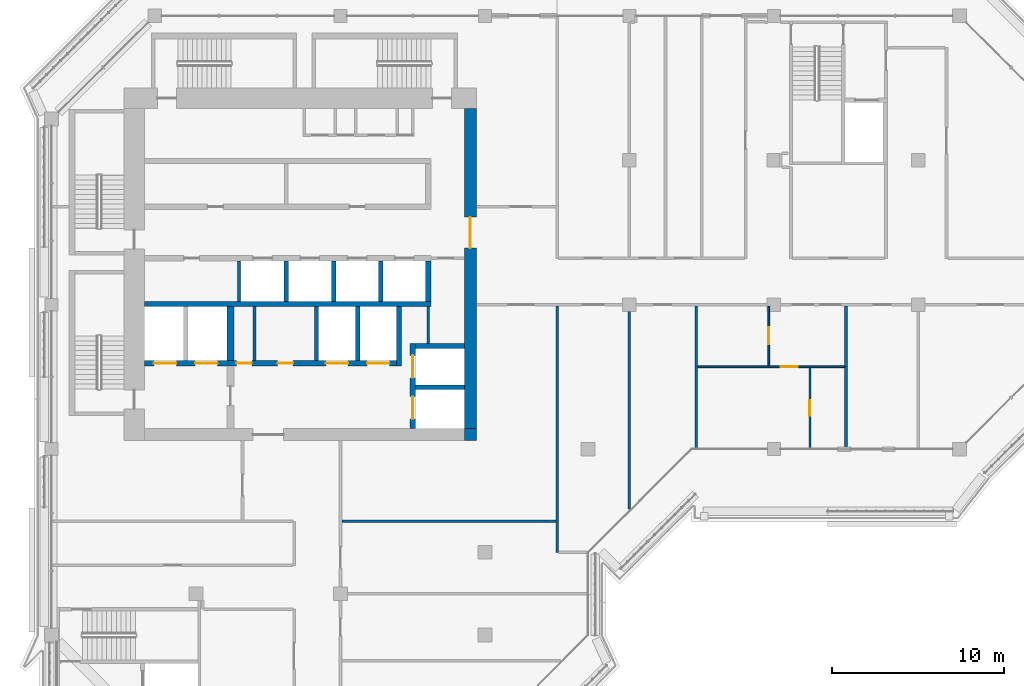
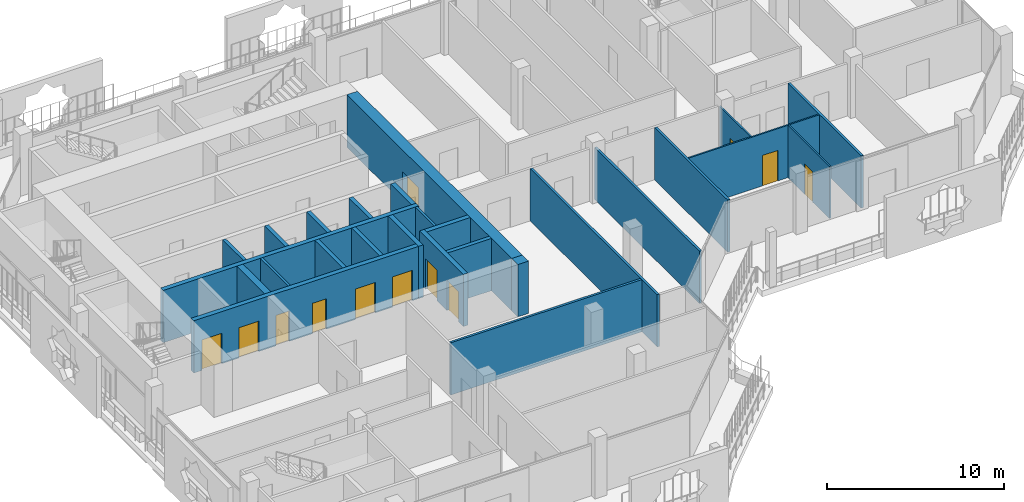
# One storey, part 11 of 21: 26 walls, 12 doors, 12 openings.
"""IFC4 building model written with IfcOpenShell, lengths in metres."""

from ifc_helpers import new_model, si_unit, direction, frame, frame_2d, origin, place, context, subcontext, project, spatial, rectangle, extrude, material, layer, layer_set, type_object, element, fill, save


model = new_model("IFC4")

# Units and contexts
model_context = context("Model", 3, precision=1e-05, world=origin(), true_north=direction((0.0, 1.0)))
body_context = subcontext(model_context, "Body", "Model", "MODEL_VIEW")
ifc_project = project(units=[si_unit("LENGTHUNIT", "METRE"), si_unit("AREAUNIT", "SQUARE_METRE"), si_unit("VOLUMEUNIT", "CUBIC_METRE"), si_unit("PLANEANGLEUNIT", "RADIAN"), si_unit("MASSUNIT", "GRAM", prefix="KILO")], contexts=[model_context])

# Site, building, storey
site_placement = place(None, origin())
site = spatial("IfcSite", under=ifc_project, at=site_placement, CompositionType="ELEMENT")
building_placement = place(site_placement, origin())
building = spatial("IfcBuilding", under=site, at=building_placement, Name="Kawkab Arch Medical Tower", CompositionType="ELEMENT")
storey_placement = place(building_placement, frame((0.0, 0.0, 319.60009765625)))
storey = spatial("IfcBuildingStorey", under=building, at=storey_placement, Name="L74", CompositionType="ELEMENT", Elevation=319.60009765625)

# Wall, opening, door
ifc_material_1 = material(Name="Concrete C50/60", Category="concrete")
ifc_layer_1 = layer(ifc_material_1, 0.699951171875)
ifc_layer_set_1 = layer_set([ifc_layer_1], Name="Concrete C50/60")
wall_type_1 = type_object("IfcWallType", Name="Core ring wall 700 C50/60", PredefinedType="SHEAR", material=ifc_layer_set_1)
wall_1_placement = place(storey_placement, frame((24.35009765625, -24.0, 0.0), z_axis=(0.0, 0.0, 1.0), x_axis=(0.0, 1.0, 0.0)))
wall_1 = element("IfcWall", 1, at=wall_1_placement, inside=storey, type_object=wall_type_1, Name="L74 core wall", PredefinedType="SHEAR", context=body_context, shape_type="SweptSolid", body=[
    extrude(rectangle(XDim=18.60009765625, YDim=0.699951171875, at=frame_2d((9.300048828125, 0.0))), origin(), (0.0, 0.0, 1.0), 3.599853515625),
])
opening_1_placement = place(wall_1_placement, frame((10.5, 0.0, 0.0)))
opening_1 = element("IfcOpeningElement", 2, at=opening_1_placement, cuts=wall_1, Name="Opening PD", PredefinedType="OPENING", context=body_context, shape_type="SweptSolid", body=[
    extrude(rectangle(XDim=1.800048828125, YDim=2.10009765625, at=frame_2d((0.89990234375, 1.050048828125))), frame((0.0, 0.35986328125, 0.0), z_axis=(0.0, -1.0, 0.0), x_axis=(1.0, 0.0, 0.0)), (0.0, 0.0, 1.0), 0.719970703125),
])
ifc_material_2 = material(Name="Hollow metal fire door leaf")
door_type_1 = type_object("IfcDoorType", Name="Core entrance doors 1800", OperationType="DOUBLE_DOOR_SINGLE_SWING", PredefinedType="DOOR", material=ifc_material_2)
door_1_placement = place(opening_1_placement, origin())
door_1 = element("IfcDoor", 3, at=door_1_placement, inside=storey, type_object=door_type_1, Name="L74 East entrance doors", OperationType="DOUBLE_DOOR_SINGLE_SWING", OverallHeight=2.10009765625, OverallWidth=1.800048828125, PredefinedType="DOOR", context=body_context, shape_type="SweptSolid", body=[
    extrude(rectangle(XDim=1.800048828125, YDim=2.10009765625, at=frame_2d((0.89990234375, 1.050048828125))), frame((0.0, 0.02490234375, 0.0), z_axis=(0.0, -1.0, 0.0), x_axis=(1.0, 0.0, 0.0)), (0.0, 0.0, 1.0), 0.050048828125),
])
fill(opening_1, door_1)

# Walls
wall_2_placement = place(storey_placement, frame((24.35009765625, -24.699951171875, 0.0), z_axis=(0.0, 0.0, 1.0), x_axis=(0.0, 1.0, 0.0)))
element("IfcWall", 4, at=wall_2_placement, inside=storey, type_object=wall_type_1, Name="L74 core wall", PredefinedType="SHEAR", context=body_context, shape_type="SweptSolid", body=[
    extrude(rectangle(XDim=0.699951171875, YDim=0.699951171875, at=frame_2d((0.35009765625, 0.0))), origin(), (0.0, 0.0, 1.0), 3.599853515625),
])
ifc_material_3 = material(Name="Gypsum board on steel studs", Category="steel")
ifc_layer_2 = layer(ifc_material_3, 0.14990234375)
ifc_layer_set_2 = layer_set([ifc_layer_2], Name="Gypsum board on steel studs")
wall_type_2 = type_object("IfcWallType", Name="Core room partition 150", PredefinedType="PARTITIONING", material=ifc_layer_set_2)
wall_3_placement = place(storey_placement, frame((21.89990234375, -19.050048828125, 0.0), z_axis=(0.0, 0.0, 1.0), x_axis=(0.0, 1.0, 0.0)))
element("IfcWall", 5, at=wall_3_placement, inside=storey, type_object=wall_type_2, Name="L74 core room partition", PredefinedType="PARTITIONING", context=body_context, shape_type="SweptSolid", body=[
    extrude(rectangle(XDim=2.150146484375, YDim=0.14990234375, at=frame_2d((1.0751953125, 0.0))), origin(), (0.0, 0.0, 1.0), 3.599853515625),
])
wall_4_placement = place(storey_placement, frame((11.800048828125, -20.050048828125, 0.0), z_axis=(0.0, 0.0, 1.0), x_axis=(0.0, 1.0, 0.0)))
element("IfcWall", 6, at=wall_4_placement, inside=storey, type_object=wall_type_2, Name="L74 core room partition", PredefinedType="PARTITIONING", context=body_context, shape_type="SweptSolid", body=[
    extrude(rectangle(XDim=3.150146484375, YDim=0.14990234375, at=frame_2d((1.5751953125, 0.0))), origin(), (0.0, 0.0, 1.0), 3.599853515625),
])
ifc_material_4 = material(Name="Concrete C60/75", Category="concrete")
ifc_layer_3 = layer(ifc_material_4, 0.25)
ifc_layer_set_3 = layer_set([ifc_layer_3], Name="Concrete C60/75")
wall_type_3 = type_object("IfcWallType", Name="Core shear wall 250 C60/75", PredefinedType="SHEAR", material=ifc_layer_set_3)
wall_5_placement = place(storey_placement, frame((21.14990234375, -21.60009765625, 0.0), z_axis=(0.0, 0.0, 1.0), x_axis=(1.0, 0.0, 0.0)))
element("IfcWall", 7, at=wall_5_placement, inside=storey, type_object=wall_type_3, Name="L74 core shear wall", PredefinedType="SHEAR", context=body_context, shape_type="SweptSolid", body=[
    extrude(rectangle(XDim=2.85009765625, YDim=0.25, at=frame_2d((1.425048828125, 0.0))), origin(), (0.0, 0.0, 1.0), 3.599853515625),
])
for number, where, z_axis, x_axis, name in (
    (8, (15.39990234375, -20.050048828125, 0.0), (0.0, 0.0, 1.0), (0.0, 1.0, 0.0), "L74 core shear wall"),
    (9, (17.800048828125, -20.050048828125, 0.0), (0.0, 0.0, 1.0), (0.0, 1.0, 0.0), "L74 core shear wall"),
):
    element("IfcWall", number, at=place(storey_placement, frame(where, z_axis=z_axis, x_axis=x_axis)), inside=storey, type_object=wall_type_3, Name=name, PredefinedType="SHEAR", context=body_context, shape_type="SweptSolid", body=[
        extrude(rectangle(XDim=3.150146484375, YDim=0.25, at=frame_2d((1.5751953125, 0.0))), origin(), (0.0, 0.0, 1.0), 3.599853515625),
    ])
for number, where, z_axis, x_axis, name in (
    (10, (13.64990234375, -16.60009765625, 0.0), (0.0, 0.0, 1.0), (0.0, 1.0, 0.0), "L74 core shear wall"),
    (11, (16.39990234375, -16.60009765625, 0.0), (0.0, 0.0, 1.0), (0.0, 1.0, 0.0), "L74 core shear wall"),
    (12, (19.14990234375, -16.60009765625, 0.0), (0.0, 0.0, 1.0), (0.0, 1.0, 0.0), "L74 core shear wall"),
):
    element("IfcWall", number, at=place(storey_placement, frame(where, z_axis=z_axis, x_axis=x_axis)), inside=storey, type_object=wall_type_3, Name=name, PredefinedType="SHEAR", context=body_context, shape_type="SweptSolid", body=[
        extrude(rectangle(XDim=2.35009765625, YDim=0.25, at=frame_2d((1.175048828125, 0.0))), origin(), (0.0, 0.0, 1.0), 3.599853515625),
    ])
ifc_material_5 = material(Name="Concrete C60/75", Category="concrete")
ifc_layer_4 = layer(ifc_material_5, 0.300048828125)
ifc_layer_set_4 = layer_set([ifc_layer_4], Name="Concrete C60/75")
wall_type_4 = type_object("IfcWallType", Name="Core shear wall 300 C60/75", PredefinedType="SHEAR", material=ifc_layer_set_4)
wall_6_placement = place(storey_placement, frame((5.39990234375, -16.75, 0.0), z_axis=(0.0, 0.0, 1.0), x_axis=(1.0, 0.0, 0.0)))
element("IfcWall", 13, at=wall_6_placement, inside=storey, type_object=wall_type_4, Name="L74 core shear wall", PredefinedType="SHEAR", context=body_context, shape_type="SweptSolid", body=[
    extrude(rectangle(XDim=16.650146484375, YDim=0.300048828125, at=frame_2d((8.3251953125, 0.0))), origin(), (0.0, 0.0, 1.0), 3.599853515625),
])

# Wall, openings, doors
wall_7_placement = place(storey_placement, frame((5.39990234375, -20.199951171875, 0.0), z_axis=(0.0, 0.0, 1.0), x_axis=(1.0, 0.0, 0.0)))
wall_7 = element("IfcWall", 14, at=wall_7_placement, inside=storey, type_object=wall_type_4, Name="L74 core shear wall", PredefinedType="SHEAR", context=body_context, shape_type="SweptSolid", body=[
    extrude(rectangle(XDim=14.650146484375, YDim=0.300048828125, at=frame_2d((7.3251953125, 0.0))), origin(), (0.0, 0.0, 1.0), 3.599853515625),
])
opening_2_placement = place(wall_7_placement, frame((10.550048828125, 0.0, 0.0)))
opening_2 = element("IfcOpeningElement", 15, at=opening_2_placement, cuts=wall_7, Name="Opening LD2", PredefinedType="OPENING", context=body_context, shape_type="SweptSolid", body=[
    extrude(rectangle(XDim=1.300048828125, YDim=2.10009765625, at=frame_2d((0.64990234375, 1.050048828125))), frame((0.0, 0.159912109375, 0.0), z_axis=(0.0, -1.0, 0.0), x_axis=(1.0, 0.0, 0.0)), (0.0, 0.0, 1.0), 0.320068359375),
])
opening_3_placement = place(wall_7_placement, frame((12.949951171875, 0.0, 0.0)))
opening_3 = element("IfcOpeningElement", 16, at=opening_3_placement, cuts=wall_7, Name="Opening LD2", PredefinedType="OPENING", context=body_context, shape_type="SweptSolid", body=[
    extrude(rectangle(XDim=1.300048828125, YDim=2.10009765625, at=frame_2d((0.64990234375, 1.050048828125))), frame((0.0, 0.159912109375, 0.0), z_axis=(0.0, -1.0, 0.0), x_axis=(1.0, 0.0, 0.0)), (0.0, 0.0, 1.0), 0.320068359375),
])
opening_4_placement = place(wall_7_placement, frame((0.550048828125, 0.0, 0.0)))
opening_4 = element("IfcOpeningElement", 17, at=opening_4_placement, cuts=wall_7, Name="Opening LD2", PredefinedType="OPENING", context=body_context, shape_type="SweptSolid", body=[
    extrude(rectangle(XDim=1.300048828125, YDim=2.10009765625, at=frame_2d((0.64990234375, 1.050048828125))), frame((0.0, 0.159912109375, 0.0), z_axis=(0.0, -1.0, 0.0), x_axis=(1.0, 0.0, 0.0)), (0.0, 0.0, 1.0), 0.320068359375),
])
opening_5_placement = place(wall_7_placement, frame((2.949951171875, 0.0, 0.0)))
opening_5 = element("IfcOpeningElement", 18, at=opening_5_placement, cuts=wall_7, Name="Opening LD2", PredefinedType="OPENING", context=body_context, shape_type="SweptSolid", body=[
    extrude(rectangle(XDim=1.300048828125, YDim=2.10009765625, at=frame_2d((0.64990234375, 1.050048828125))), frame((0.0, 0.159912109375, 0.0), z_axis=(0.0, -1.0, 0.0), x_axis=(1.0, 0.0, 0.0)), (0.0, 0.0, 1.0), 0.320068359375),
])
opening_6_placement = place(wall_7_placement, frame((5.35009765625, 0.0, 0.0)))
opening_6 = element("IfcOpeningElement", 19, at=opening_6_placement, cuts=wall_7, Name="Opening RD", PredefinedType="OPENING", context=body_context, shape_type="SweptSolid", body=[
    extrude(rectangle(XDim=0.89990234375, YDim=2.10009765625, at=frame_2d((0.449951171875, 1.050048828125))), frame((0.0, 0.159912109375, 0.0), z_axis=(0.0, -1.0, 0.0), x_axis=(1.0, 0.0, 0.0)), (0.0, 0.0, 1.0), 0.320068359375),
])
opening_7_placement = place(wall_7_placement, frame((7.75, 0.0, 0.0)))
opening_7 = element("IfcOpeningElement", 20, at=opening_7_placement, cuts=wall_7, Name="Opening RD", PredefinedType="OPENING", context=body_context, shape_type="SweptSolid", body=[
    extrude(rectangle(XDim=0.89990234375, YDim=2.10009765625, at=frame_2d((0.449951171875, 1.050048828125))), frame((0.0, 0.159912109375, 0.0), z_axis=(0.0, -1.0, 0.0), x_axis=(1.0, 0.0, 0.0)), (0.0, 0.0, 1.0), 0.320068359375),
])
ifc_material_6 = material(Name="Hollow metal fire door leaf")
door_type_2 = type_object("IfcDoorType", Name="Core room door 900", OperationType="SINGLE_SWING_LEFT", PredefinedType="DOOR", material=ifc_material_6)
door_2_placement = place(opening_6_placement, origin())
door_2 = element("IfcDoor", 21, at=door_2_placement, inside=storey, type_object=door_type_2, Name="L74 Equipment store door", OperationType="SINGLE_SWING_LEFT", OverallHeight=2.10009765625, OverallWidth=0.89990234375, PredefinedType="DOOR", context=body_context, shape_type="SweptSolid", body=[
    extrude(rectangle(XDim=0.89990234375, YDim=2.10009765625, at=frame_2d((0.449951171875, 1.050048828125))), frame((0.0, 0.02490234375, 0.0), z_axis=(0.0, -1.0, 0.0), x_axis=(1.0, 0.0, 0.0)), (0.0, 0.0, 1.0), 0.050048828125),
])
fill(opening_6, door_2)
door_3_placement = place(opening_7_placement, origin())
door_3 = element("IfcDoor", 22, at=door_3_placement, inside=storey, type_object=door_type_2, Name="L74 Medication store door", OperationType="SINGLE_SWING_LEFT", OverallHeight=2.10009765625, OverallWidth=0.89990234375, PredefinedType="DOOR", context=body_context, shape_type="SweptSolid", body=[
    extrude(rectangle(XDim=0.89990234375, YDim=2.10009765625, at=frame_2d((0.449951171875, 1.050048828125))), frame((0.0, 0.02490234375, 0.0), z_axis=(0.0, -1.0, 0.0), x_axis=(1.0, 0.0, 0.0)), (0.0, 0.0, 1.0), 0.050048828125),
])
fill(opening_7, door_3)
ifc_material_7 = material(Name="Stainless steel lift door leaf", Category="steel")
door_type_3 = type_object("IfcDoorType", Name="Lift landing door 1300", OperationType="DOUBLE_DOOR_SLIDING", PredefinedType="DOOR", material=ifc_material_7)
door_4_placement = place(opening_2_placement, origin())
door_4 = element("IfcDoor", 23, at=door_4_placement, inside=storey, type_object=door_type_3, Name="L74 Lift landing door BD3", OperationType="DOUBLE_DOOR_SLIDING", OverallHeight=2.10009765625, OverallWidth=1.300048828125, PredefinedType="DOOR", context=body_context, shape_type="SweptSolid", body=[
    extrude(rectangle(XDim=1.300048828125, YDim=2.10009765625, at=frame_2d((0.64990234375, 1.050048828125))), frame((0.0, 0.02490234375, 0.0), z_axis=(0.0, -1.0, 0.0), x_axis=(1.0, 0.0, 0.0)), (0.0, 0.0, 1.0), 0.050048828125),
])
fill(opening_2, door_4)
door_5_placement = place(opening_3_placement, origin())
door_5 = element("IfcDoor", 24, at=door_5_placement, inside=storey, type_object=door_type_3, Name="L74 Lift landing door BD4", OperationType="DOUBLE_DOOR_SLIDING", OverallHeight=2.10009765625, OverallWidth=1.300048828125, PredefinedType="DOOR", context=body_context, shape_type="SweptSolid", body=[
    extrude(rectangle(XDim=1.300048828125, YDim=2.10009765625, at=frame_2d((0.64990234375, 1.050048828125))), frame((0.0, 0.02490234375, 0.0), z_axis=(0.0, -1.0, 0.0), x_axis=(1.0, 0.0, 0.0)), (0.0, 0.0, 1.0), 0.050048828125),
])
fill(opening_3, door_5)
door_6_placement = place(opening_4_placement, origin())
door_6 = element("IfcDoor", 25, at=door_6_placement, inside=storey, type_object=door_type_3, Name="L74 Lift landing door FL1", OperationType="DOUBLE_DOOR_SLIDING", OverallHeight=2.10009765625, OverallWidth=1.300048828125, PredefinedType="DOOR", context=body_context, shape_type="SweptSolid", body=[
    extrude(rectangle(XDim=1.300048828125, YDim=2.10009765625, at=frame_2d((0.64990234375, 1.050048828125))), frame((0.0, 0.02490234375, 0.0), z_axis=(0.0, -1.0, 0.0), x_axis=(1.0, 0.0, 0.0)), (0.0, 0.0, 1.0), 0.050048828125),
])
fill(opening_4, door_6)
door_7_placement = place(opening_5_placement, origin())
door_7 = element("IfcDoor", 26, at=door_7_placement, inside=storey, type_object=door_type_3, Name="L74 Lift landing door FL2", OperationType="DOUBLE_DOOR_SLIDING", OverallHeight=2.10009765625, OverallWidth=1.300048828125, PredefinedType="DOOR", context=body_context, shape_type="SweptSolid", body=[
    extrude(rectangle(XDim=1.300048828125, YDim=2.10009765625, at=frame_2d((0.64990234375, 1.050048828125))), frame((0.0, 0.02490234375, 0.0), z_axis=(0.0, -1.0, 0.0), x_axis=(1.0, 0.0, 0.0)), (0.0, 0.0, 1.0), 0.050048828125),
])
fill(opening_5, door_7)

# Walls
wall_8_placement = place(storey_placement, frame((20.199951171875, -20.35009765625, 0.0), z_axis=(0.0, 0.0, 1.0), x_axis=(0.0, 1.0, 0.0)))
element("IfcWall", 27, at=wall_8_placement, inside=storey, type_object=wall_type_4, Name="L74 core shear wall", PredefinedType="SHEAR", context=body_context, shape_type="SweptSolid", body=[
    extrude(rectangle(XDim=3.4501953125, YDim=0.300048828125, at=frame_2d((1.72509765625, 0.0))), origin(), (0.0, 0.0, 1.0), 3.599853515625),
])
wall_9_placement = place(storey_placement, frame((21.89990234375, -16.60009765625, 0.0), z_axis=(0.0, 0.0, 1.0), x_axis=(0.0, 1.0, 0.0)))
element("IfcWall", 28, at=wall_9_placement, inside=storey, type_object=wall_type_4, Name="L74 core shear wall", PredefinedType="SHEAR", context=body_context, shape_type="SweptSolid", body=[
    extrude(rectangle(XDim=2.35009765625, YDim=0.300048828125, at=frame_2d((1.175048828125, 0.0))), origin(), (0.0, 0.0, 1.0), 3.599853515625),
])
wall_10_placement = place(storey_placement, frame((21.14990234375, -19.199951171875, 0.0), z_axis=(0.0, 0.0, 1.0), x_axis=(1.0, 0.0, 0.0)))
element("IfcWall", 29, at=wall_10_placement, inside=storey, type_object=wall_type_4, Name="L74 core shear wall", PredefinedType="SHEAR", context=body_context, shape_type="SweptSolid", body=[
    extrude(rectangle(XDim=2.85009765625, YDim=0.300048828125, at=frame_2d((1.425048828125, 0.0))), origin(), (0.0, 0.0, 1.0), 3.599853515625),
])

# Wall, openings, doors
wall_11_placement = place(storey_placement, frame((21.0, -24.0, 0.0), z_axis=(0.0, 0.0, 1.0), x_axis=(0.0, 1.0, 0.0)))
wall_11 = element("IfcWall", 30, at=wall_11_placement, inside=storey, type_object=wall_type_4, Name="L74 core shear wall", PredefinedType="SHEAR", context=body_context, shape_type="SweptSolid", body=[
    extrude(rectangle(XDim=4.949951171875, YDim=0.300048828125, at=frame_2d((2.47509765625, 0.0))), origin(), (0.0, 0.0, 1.0), 3.599853515625),
])
opening_8_placement = place(wall_11_placement, frame((2.949951171875, 0.0, 0.0)))
opening_8 = element("IfcOpeningElement", 31, at=opening_8_placement, cuts=wall_11, Name="Opening LD2", PredefinedType="OPENING", context=body_context, shape_type="SweptSolid", body=[
    extrude(rectangle(XDim=1.300048828125, YDim=2.10009765625, at=frame_2d((0.64990234375, 1.050048828125))), frame((0.0, 0.159912109375, 0.0), z_axis=(0.0, -1.0, 0.0), x_axis=(1.0, 0.0, 0.0)), (0.0, 0.0, 1.0), 0.320068359375),
])
opening_9_placement = place(wall_11_placement, frame((0.550048828125, 0.0, 0.0)))
opening_9 = element("IfcOpeningElement", 32, at=opening_9_placement, cuts=wall_11, Name="Opening LD2", PredefinedType="OPENING", context=body_context, shape_type="SweptSolid", body=[
    extrude(rectangle(XDim=1.300048828125, YDim=2.10009765625, at=frame_2d((0.64990234375, 1.050048828125))), frame((0.0, 0.159912109375, 0.0), z_axis=(0.0, -1.0, 0.0), x_axis=(1.0, 0.0, 0.0)), (0.0, 0.0, 1.0), 0.320068359375),
])
door_8_placement = place(opening_8_placement, origin())
door_8 = element("IfcDoor", 33, at=door_8_placement, inside=storey, type_object=door_type_3, Name="L74 Lift landing door BD1", OperationType="DOUBLE_DOOR_SLIDING", OverallHeight=2.10009765625, OverallWidth=1.300048828125, PredefinedType="DOOR", context=body_context, shape_type="SweptSolid", body=[
    extrude(rectangle(XDim=1.300048828125, YDim=2.10009765625, at=frame_2d((0.64990234375, 1.050048828125))), frame((0.0, 0.02490234375, 0.0), z_axis=(0.0, -1.0, 0.0), x_axis=(1.0, 0.0, 0.0)), (0.0, 0.0, 1.0), 0.050048828125),
])
fill(opening_8, door_8)
door_9_placement = place(opening_9_placement, origin())
door_9 = element("IfcDoor", 34, at=door_9_placement, inside=storey, type_object=door_type_3, Name="L74 Lift landing door BD2", OperationType="DOUBLE_DOOR_SLIDING", OverallHeight=2.10009765625, OverallWidth=1.300048828125, PredefinedType="DOOR", context=body_context, shape_type="SweptSolid", body=[
    extrude(rectangle(XDim=1.300048828125, YDim=2.10009765625, at=frame_2d((0.64990234375, 1.050048828125))), frame((0.0, 0.02490234375, 0.0), z_axis=(0.0, -1.0, 0.0), x_axis=(1.0, 0.0, 0.0)), (0.0, 0.0, 1.0), 0.050048828125),
])
fill(opening_9, door_9)

# Walls
ifc_material_8 = material(Name="Concrete C60/75", Category="concrete")
ifc_layer_5 = layer(ifc_material_8, 0.39990234375)
ifc_layer_set_5 = layer_set([ifc_layer_5], Name="Concrete C60/75")
wall_type_5 = type_object("IfcWallType", Name="Core shear wall 400 C60/75", PredefinedType="SHEAR", material=ifc_layer_set_5)
wall_12_placement = place(storey_placement, frame((10.39990234375, -20.050048828125, 0.0), z_axis=(0.0, 0.0, 1.0), x_axis=(0.0, 1.0, 0.0)))
element("IfcWall", 35, at=wall_12_placement, inside=storey, type_object=wall_type_5, Name="L74 core shear wall", PredefinedType="SHEAR", context=body_context, shape_type="SweptSolid", body=[
    extrude(rectangle(XDim=3.150146484375, YDim=0.39990234375, at=frame_2d((1.5751953125, 0.0))), origin(), (0.0, 0.0, 1.0), 3.599853515625),
])
ifc_material_9 = material(Name="Dense concrete blockwork", Category="masonry")
ifc_layer_6 = layer(ifc_material_9, 0.199951171875)
ifc_layer_set_6 = layer_set([ifc_layer_6], Name="Dense concrete blockwork")
wall_type_6 = type_object("IfcWallType", Name="Lift shaft partition 200", PredefinedType="PARTITIONING", material=ifc_layer_set_6)
wall_13_placement = place(storey_placement, frame((10.89990234375, -16.60009765625, 0.0), z_axis=(0.0, 0.0, 1.0), x_axis=(0.0, 1.0, 0.0)))
element("IfcWall", 36, at=wall_13_placement, inside=storey, type_object=wall_type_6, Name="L74 lift shaft partition", PredefinedType="PARTITIONING", context=body_context, shape_type="SweptSolid", body=[
    extrude(rectangle(XDim=2.35009765625, YDim=0.199951171875, at=frame_2d((1.175048828125, 0.0))), origin(), (0.0, 0.0, 1.0), 3.599853515625),
])

# Wall, opening, door
ifc_material_10 = material(Name="Gypsum board partition on steel studs", Category="steel")
ifc_layer_7 = layer(ifc_material_10, 0.10009765625)
ifc_layer_set_7 = layer_set([ifc_layer_7], Name="Gypsum board partition on steel studs")
wall_type_7 = type_object("IfcWallType", Name="Partition 100", PredefinedType="PARTITIONING", material=ifc_layer_set_7)
wall_14_placement = place(storey_placement, frame((37.574951171875, -20.39990234375, 0.0), z_axis=(0.0, 0.0, 1.0), x_axis=(1.0, 0.0, 0.0)))
wall_14 = element("IfcWall", 37, at=wall_14_placement, inside=storey, type_object=wall_type_7, Name="Partition 100 w001", PredefinedType="PARTITIONING", context=body_context, shape_type="SweptSolid", body=[
    extrude(rectangle(XDim=8.550048828125, YDim=0.10009765625, at=frame_2d((4.27490234375, 0.0))), origin(), (0.0, 0.0, 1.0), 3.599853515625),
])
opening_10_placement = place(wall_14_placement, frame((4.824951171875, 0.0, 0.0)))
opening_10 = element("IfcOpeningElement", 38, at=opening_10_placement, cuts=wall_14, Name="Opening W69-007", PredefinedType="OPENING", context=body_context, shape_type="SweptSolid", body=[
    extrude(rectangle(XDim=1.0, YDim=2.10009765625, at=frame_2d((0.5, 1.050048828125))), frame((0.0, 0.06005859375, 0.0), z_axis=(0.0, -1.0, 0.0), x_axis=(1.0, 0.0, 0.0)), (0.0, 0.0, 1.0), 0.1201171875),
])
ifc_material_11 = material(Name="Timber door leaf", Category="wood")
door_type_4 = type_object("IfcDoorType", Name="Single door 1000x2100", OperationType="NOTDEFINED", PredefinedType="DOOR", material=ifc_material_11)
door_10_placement = place(opening_10_placement, origin())
door_10 = element("IfcDoor", 39, at=door_10_placement, inside=storey, type_object=door_type_4, Name="Door W69-007", OperationType="SINGLE_SWING_LEFT", OverallHeight=2.10009765625, OverallWidth=1.0, PredefinedType="DOOR", context=body_context, shape_type="SweptSolid", body=[
    extrude(rectangle(XDim=1.0, YDim=2.10009765625, at=frame_2d((0.5, 1.050048828125))), frame((0.0, 0.02490234375, 0.0), z_axis=(0.0, -1.0, 0.0), x_axis=(1.0, 0.0, 0.0)), (0.0, 0.0, 1.0), 0.050048828125),
])
fill(opening_10, door_10)

wall_15_placement = place(storey_placement, frame((41.699951171875, -20.35009765625, 0.0), z_axis=(0.0, 0.0, 1.0), x_axis=(0.0, 1.0, 0.0)))
wall_15 = element("IfcWall", 40, at=wall_15_placement, inside=storey, type_object=wall_type_7, Name="Partition 100 w002", PredefinedType="PARTITIONING", context=body_context, shape_type="SweptSolid", body=[
    extrude(rectangle(XDim=3.47509765625, YDim=0.10009765625, at=frame_2d((1.737548828125, 0.0))), origin(), (0.0, 0.0, 1.0), 3.599853515625),
])
opening_11_placement = place(wall_15_placement, frame((1.25, 0.0, 0.0)))
opening_11 = element("IfcOpeningElement", 41, at=opening_11_placement, cuts=wall_15, Name="Opening W69-008", PredefinedType="OPENING", context=body_context, shape_type="SweptSolid", body=[
    extrude(rectangle(XDim=1.0, YDim=2.10009765625, at=frame_2d((0.5, 1.050048828125))), frame((0.0, 0.06005859375, 0.0), z_axis=(0.0, -1.0, 0.0), x_axis=(1.0, 0.0, 0.0)), (0.0, 0.0, 1.0), 0.1201171875),
])
door_11_placement = place(opening_11_placement, origin())
door_11 = element("IfcDoor", 42, at=door_11_placement, inside=storey, type_object=door_type_4, Name="Door W69-008", OperationType="SINGLE_SWING_LEFT", OverallHeight=2.10009765625, OverallWidth=1.0, PredefinedType="DOOR", context=body_context, shape_type="SweptSolid", body=[
    extrude(rectangle(XDim=1.0, YDim=2.10009765625, at=frame_2d((0.5, 1.050048828125))), frame((0.0, 0.02490234375, 0.0), z_axis=(0.0, -1.0, 0.0), x_axis=(1.0, 0.0, 0.0)), (0.0, 0.0, 1.0), 0.050048828125),
])
fill(opening_11, door_11)

wall_16_placement = place(storey_placement, frame((44.10009765625, -25.1201171875, 0.0), z_axis=(0.0, 0.0, 1.0), x_axis=(0.0, 1.0, 0.0)))
wall_16 = element("IfcWall", 43, at=wall_16_placement, inside=storey, type_object=wall_type_7, Name="Partition 100 w003", PredefinedType="PARTITIONING", context=body_context, shape_type="SweptSolid", body=[
    extrude(rectangle(XDim=4.670166015625, YDim=0.10009765625, at=frame_2d((2.3349609375, 0.0))), origin(), (0.0, 0.0, 1.0), 3.599853515625),
])
opening_12_placement = place(wall_16_placement, frame((1.8701171875, 0.0, 0.0)))
opening_12 = element("IfcOpeningElement", 44, at=opening_12_placement, cuts=wall_16, Name="Opening W69-005", PredefinedType="OPENING", context=body_context, shape_type="SweptSolid", body=[
    extrude(rectangle(XDim=0.89990234375, YDim=2.10009765625, at=frame_2d((0.449951171875, 1.050048828125))), frame((0.0, 0.06005859375, 0.0), z_axis=(0.0, -1.0, 0.0), x_axis=(1.0, 0.0, 0.0)), (0.0, 0.0, 1.0), 0.1201171875),
])
ifc_material_12 = material(Name="Timber door leaf", Category="wood")
door_type_5 = type_object("IfcDoorType", Name="Single door 900x2100", OperationType="NOTDEFINED", PredefinedType="DOOR", material=ifc_material_12)
door_12_placement = place(opening_12_placement, origin())
door_12 = element("IfcDoor", 45, at=door_12_placement, inside=storey, type_object=door_type_5, Name="Door W69-005", OperationType="SINGLE_SWING_LEFT", OverallHeight=2.10009765625, OverallWidth=0.89990234375, PredefinedType="DOOR", context=body_context, shape_type="SweptSolid", body=[
    extrude(rectangle(XDim=0.89990234375, YDim=2.10009765625, at=frame_2d((0.449951171875, 1.050048828125))), frame((0.0, 0.02490234375, 0.0), z_axis=(0.0, -1.0, 0.0), x_axis=(1.0, 0.0, 0.0)), (0.0, 0.0, 1.0), 0.050048828125),
])
fill(opening_12, door_12)

# Walls
ifc_material_13 = material(Name="Gypsum board partition on steel studs, mineral wool", Category="steel")
ifc_layer_8 = layer(ifc_material_13, 0.14990234375)
ifc_layer_set_8 = layer_set([ifc_layer_8], Name="Gypsum board partition on steel studs, mineral wool")
wall_type_8 = type_object("IfcWallType", Name="Partition 150", PredefinedType="PARTITIONING", material=ifc_layer_set_8)
wall_17_placement = place(storey_placement, frame((16.875, -29.39990234375, 0.0), z_axis=(0.0, 0.0, 1.0), x_axis=(1.0, 0.0, 0.0)))
element("IfcWall", 46, at=wall_17_placement, inside=storey, type_object=wall_type_8, Name="Partition 150 w011", PredefinedType="PARTITIONING", context=body_context, shape_type="SweptSolid", body=[
    extrude(rectangle(XDim=12.449951171875, YDim=0.14990234375, at=frame_2d((6.22509765625, 0.0))), origin(), (0.0, 0.0, 1.0), 3.599853515625),
])
wall_18_placement = place(storey_placement, frame((29.39990234375, -31.197998046875, 0.0), z_axis=(0.0, 0.0, 1.0), x_axis=(0.0, 1.0, 0.0)))
element("IfcWall", 47, at=wall_18_placement, inside=storey, type_object=wall_type_8, Name="Partition 150 w030", PredefinedType="PARTITIONING", context=body_context, shape_type="SweptSolid", body=[
    extrude(rectangle(XDim=14.322998046875, YDim=0.14990234375, at=frame_2d((7.16162109375, 0.0))), origin(), (0.0, 0.0, 1.0), 3.599853515625),
])
wall_19_placement = place(storey_placement, frame((33.60009765625, -28.68701171875, 0.0), z_axis=(0.0, 0.0, 1.0), x_axis=(0.0, 1.0, 0.0)))
element("IfcWall", 48, at=wall_19_placement, inside=storey, type_object=wall_type_8, Name="Partition 150 w032", PredefinedType="PARTITIONING", context=body_context, shape_type="SweptSolid", body=[
    extrude(rectangle(XDim=11.81201171875, YDim=0.14990234375, at=frame_2d((5.906005859375, 0.0))), origin(), (0.0, 0.0, 1.0), 3.599853515625),
])
for number, where, z_axis, x_axis, name in (
    (49, (37.5, -25.1201171875, 0.0), (0.0, 0.0, 1.0), (0.0, 1.0, 0.0), "Partition 150 w037"),
    (50, (46.199951171875, -25.1201171875, 0.0), (0.0, 0.0, 1.0), (0.0, 1.0, 0.0), "Partition 150 w042"),
):
    element("IfcWall", number, at=place(storey_placement, frame(where, z_axis=z_axis, x_axis=x_axis)), inside=storey, type_object=wall_type_8, Name=name, PredefinedType="PARTITIONING", context=body_context, shape_type="SweptSolid", body=[
        extrude(rectangle(XDim=8.2451171875, YDim=0.14990234375, at=frame_2d((4.12255859375, 0.0))), origin(), (0.0, 0.0, 1.0), 3.599853515625),
    ])

save(model, "model.ifc")
